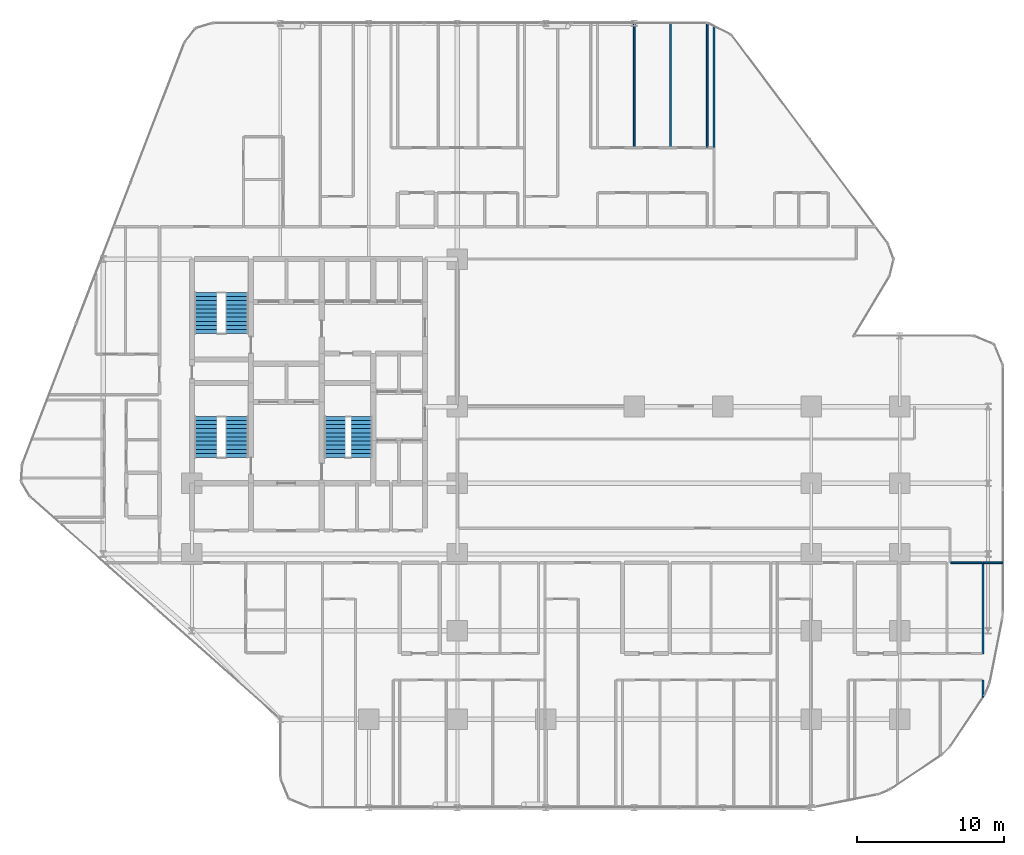
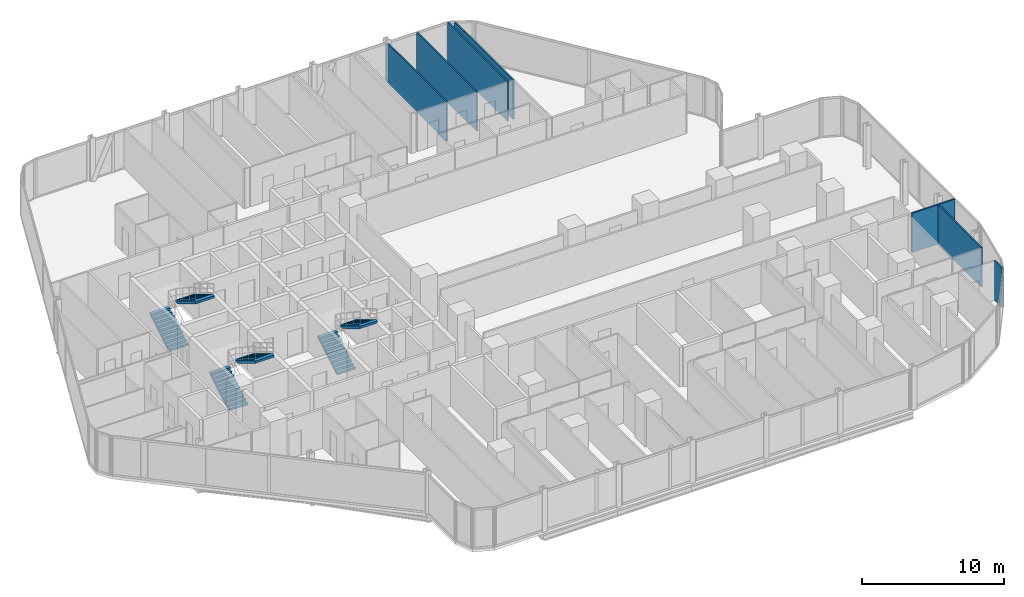
# One storey, part 32 of 33: 8 walls, 6 stair flights, 3 elements without a shape of their own.
"""IFC4 building model written with IfcOpenShell, lengths in metres."""

from ifc_helpers import new_model, si_unit, direction, frame, frame_2d, origin, place, context, subcontext, project, spatial, polyline, rectangle, outline, extrude, material, layer, layer_set, type_object, element, aggregate, save


model = new_model("IFC4")

# Units and contexts
model_context = context("Model", 3, precision=1e-05, world=origin(), true_north=direction((0.0, 1.0)))
body_context = subcontext(model_context, "Body", "Model", "MODEL_VIEW")
ifc_project = project(units=[si_unit("LENGTHUNIT", "METRE"), si_unit("AREAUNIT", "SQUARE_METRE"), si_unit("VOLUMEUNIT", "CUBIC_METRE"), si_unit("PLANEANGLEUNIT", "RADIAN"), si_unit("MASSUNIT", "GRAM", prefix="KILO")], contexts=[model_context])

# Site, building, storey
site_placement = place(None, origin())
site = spatial("IfcSite", under=ifc_project, at=site_placement, CompositionType="ELEMENT")
building_placement = place(site_placement, origin())
building = spatial("IfcBuilding", under=site, at=building_placement, Name="Keshet Zoharim Tower", CompositionType="ELEMENT")
storey_placement = place(building_placement, frame((0.0, 0.0, 35.10009765625)))
storey = spatial("IfcBuildingStorey", under=building, at=storey_placement, Name="L07", CompositionType="ELEMENT", Elevation=35.10009765625)

# Walls
ifc_material_1 = material(Name="Gypsum Plasterboard", Category="gypsum")
ifc_layer_1 = layer(ifc_material_1, 0.1201171875)
ifc_layer_set_1 = layer_set([ifc_layer_1], Name="Gypsum Plasterboard")
wall_type_1 = type_object("IfcWallType", Name="WL-PART-120", PredefinedType="PARTITIONING", material=ifc_layer_set_1)
for number, where, z_axis, x_axis, name in (
    (1, (45.0, 45.449951171875, 0.0), (0.0, 0.0, 1.0), (0.0, 1.0, 0.0), "L07 Interior Wall 096"),
    (2, (47.449951171875, 45.449951171875, 0.0), (0.0, 0.0, 1.0), (0.0, 1.0, 0.0), "L07 Interior Wall 100"),
    (3, (49.949951171875, 45.449951171875, 0.0), (0.0, 0.0, 1.0), (0.0, 1.0, 0.0), "L07 Interior Wall 103"),
):
    element("IfcWall", number, at=place(storey_placement, frame(where, z_axis=z_axis, x_axis=x_axis)), inside=storey, type_object=wall_type_1, Name=name, PredefinedType="PARTITIONING", context=body_context, shape_type="SweptSolid", body=[
        extrude(rectangle(XDim=8.43994140625, YDim=0.1201171875, at=frame_2d((4.219970703125, 0.0))), origin(), (0.0, 0.0, 1.0), 3.385009765625),
    ])
wall_1_placement = place(storey_placement, frame((50.39990234375, 45.449951171875, 0.0), z_axis=(0.0, 0.0, 1.0), x_axis=(0.0, 1.0, 0.0)))
element("IfcWall", 4, at=wall_1_placement, inside=storey, type_object=wall_type_1, Name="L07 Interior Wall 106", PredefinedType="PARTITIONING", context=body_context, shape_type="SweptSolid", body=[
    extrude(rectangle(XDim=8.239990234375, YDim=0.1201171875, at=frame_2d((4.1201171875, 0.0))), origin(), (0.0, 0.0, 1.0), 3.385009765625),
])
wall_2_placement = place(storey_placement, frame((68.64990234375, 8.196044921875, 0.0), z_axis=(0.0, 0.0, 1.0), x_axis=(0.0, 1.0, 0.0)))
element("IfcWall", 5, at=wall_2_placement, inside=storey, type_object=wall_type_1, Name="L07 Interior Wall 127", PredefinedType="PARTITIONING", context=body_context, shape_type="SweptSolid", body=[
    extrude(rectangle(XDim=1.154052734375, YDim=0.1201171875, at=frame_2d((0.5771484375, 0.0))), origin(), (0.0, 0.0, 1.0), 3.385009765625),
])
wall_3_placement = place(storey_placement, frame((68.676025390625, 17.300048828125, 0.0), z_axis=(0.0, 0.0, 1.0), x_axis=(1.0, 0.0, 0.0)))
element("IfcWall", 6, at=wall_3_placement, inside=storey, type_object=wall_type_1, Name="L07 Interior Wall 167", PredefinedType="PARTITIONING", context=body_context, shape_type="SweptSolid", body=[
    extrude(rectangle(XDim=1.31396484375, YDim=0.1201171875, at=frame_2d((0.656982421875, 0.0))), origin(), (0.0, 0.0, 1.0), 3.385009765625),
])
ifc_layer_2 = layer(ifc_material_1, 0.1201171875)
ifc_layer_set_2 = layer_set([ifc_layer_2], Name="Gypsum Plasterboard")
wall_type_2 = type_object("IfcWallType", Name="WL-WET-120", PredefinedType="PARTITIONING", material=ifc_layer_set_2)
wall_4_placement = place(storey_placement, frame((68.64990234375, 11.14990234375, 0.0), z_axis=(0.0, 0.0, 1.0), x_axis=(0.0, 1.0, 0.0)))
element("IfcWall", 7, at=wall_4_placement, inside=storey, type_object=wall_type_2, Name="L07 Interior Wall 128", PredefinedType="PARTITIONING", context=body_context, shape_type="SweptSolid", body=[
    extrude(rectangle(XDim=6.150146484375, YDim=0.1201171875, at=frame_2d((3.0751953125, 0.0))), origin(), (0.0, 0.0, 1.0), 3.385009765625),
])
wall_5_placement = place(storey_placement, frame((66.469970703125, 17.300048828125, 0.0), z_axis=(0.0, 0.0, 1.0), x_axis=(1.0, 0.0, 0.0)))
element("IfcWall", 8, at=wall_5_placement, inside=storey, type_object=wall_type_2, Name="L07 Interior Wall 166", PredefinedType="PARTITIONING", context=body_context, shape_type="SweptSolid", body=[
    extrude(rectangle(XDim=2.115966796875, YDim=0.1201171875, at=frame_2d((1.05810546875, 0.0))), origin(), (0.0, 0.0, 1.0), 3.385009765625),
])

# Stair, stair flights
ifc_material_2 = material(Name="Concrete C50/60", Category="concrete")
stair_type = type_object("IfcStairType", Name="STR-EXIT-135", PredefinedType="HALF_TURN_STAIR", material=ifc_material_2)
stair_1_placement = place(storey_placement, origin())
stair_1 = element("IfcStair", 9, at=stair_1_placement, inside=storey, type_object=stair_type, Name="L07 Enclosed Exit Stair ST-01", PredefinedType="HALF_TURN_STAIR")
stair_flight_type_1 = type_object("IfcStairFlightType", Name="FLT-PRE-135", PredefinedType="STRAIGHT", material=ifc_material_2)
stair_flight_1_placement = place(storey_placement, frame((15.945068359375, 24.43994140625, 0.0), z_axis=(0.0, 0.0, 1.0), x_axis=(0.0, 1.0, 0.0)))
stair_flight_1 = element("IfcStairFlight", 10, at=stair_flight_1_placement, type_object=stair_flight_type_1, Name="ST-01 flight 1", NumberOfRisers=11, NumberOfTreads=10, PredefinedType="STRAIGHT", RiserHeight=0.168182, TreadLength=0.28, context=body_context, shape_type="SweptSolid", body=[
    extrude(outline(polyline([(0.0, 0.0), (0.0, 0.168212890625), (0.280029296875, 0.168212890625), (0.280029296875, 0.33642578125), (0.56005859375, 0.33642578125), (0.56005859375, 0.504638671875), (0.840087890625, 0.504638671875), (0.840087890625, 0.672607421875), (1.1201171875, 0.672607421875), (1.1201171875, 0.8408203125), (1.39990234375, 0.8408203125), (1.39990234375, 1.009033203125), (1.679931640625, 1.009033203125), (1.679931640625, 1.17724609375), (1.9599609375, 1.17724609375), (1.9599609375, 1.345458984375), (2.239990234375, 1.345458984375), (2.239990234375, 1.513671875), (2.52001953125, 1.513671875), (2.52001953125, 1.681884765625), (2.800048828125, 1.681884765625), (2.800048828125, 1.85009765625), (2.800048828125, 1.495361328125), (0.310546875, 0.0), (0.0, 0.0)])), frame((0.0, 0.76513671875, 0.0), z_axis=(0.0, -1.0, 0.0), x_axis=(1.0, 0.0, 0.0)), (0.0, 0.0, 1.0), 1.530029296875),
])
stair_flight_2_placement = place(storey_placement, frame((18.054931640625, 27.239990234375, 1.849853515625), z_axis=(0.0, 0.0, 1.0), x_axis=(0.0, -1.0, 0.0)))
stair_flight_2 = element("IfcStairFlight", 11, at=stair_flight_2_placement, type_object=stair_flight_type_1, Name="ST-01 flight 2", NumberOfRisers=11, NumberOfTreads=10, PredefinedType="STRAIGHT", RiserHeight=0.168182, TreadLength=0.28, context=body_context, shape_type="SweptSolid", body=[
    extrude(outline(polyline([(0.0, 0.0), (0.0, 0.168212890625), (0.280029296875, 0.168212890625), (0.280029296875, 0.33642578125), (0.56005859375, 0.33642578125), (0.56005859375, 0.504638671875), (0.840087890625, 0.504638671875), (0.840087890625, 0.672607421875), (1.1201171875, 0.672607421875), (1.1201171875, 0.8408203125), (1.39990234375, 0.8408203125), (1.39990234375, 1.009033203125), (1.679931640625, 1.009033203125), (1.679931640625, 1.17724609375), (1.9599609375, 1.17724609375), (1.9599609375, 1.345458984375), (2.239990234375, 1.345458984375), (2.239990234375, 1.513671875), (2.52001953125, 1.513671875), (2.52001953125, 1.681884765625), (2.800048828125, 1.681884765625), (2.800048828125, 1.85009765625), (2.800048828125, 1.495361328125), (0.310546875, 0.0), (0.0, 0.0)])), frame((0.0, 0.76513671875, 0.0), z_axis=(0.0, -1.0, 0.0), x_axis=(1.0, 0.0, 0.0)), (0.0, 0.0, 1.0), 1.530029296875),
])
aggregate(stair_1, [stair_flight_1, stair_flight_2])

stair_2_placement = place(storey_placement, origin())
stair_2 = element("IfcStair", 12, at=stair_2_placement, inside=storey, type_object=stair_type, Name="L07 Enclosed Exit Stair ST-02", PredefinedType="HALF_TURN_STAIR")
stair_flight_3_placement = place(storey_placement, frame((15.945068359375, 32.840087890625, 0.0), z_axis=(0.0, 0.0, 1.0), x_axis=(0.0, 1.0, 0.0)))
stair_flight_3 = element("IfcStairFlight", 13, at=stair_flight_3_placement, type_object=stair_flight_type_1, Name="ST-02 flight 1", NumberOfRisers=11, NumberOfTreads=10, PredefinedType="STRAIGHT", RiserHeight=0.168182, TreadLength=0.28, context=body_context, shape_type="SweptSolid", body=[
    extrude(outline(polyline([(0.0, 0.0), (0.0, 0.168212890625), (0.280029296875, 0.168212890625), (0.280029296875, 0.33642578125), (0.56005859375, 0.33642578125), (0.56005859375, 0.504638671875), (0.840087890625, 0.504638671875), (0.840087890625, 0.672607421875), (1.1201171875, 0.672607421875), (1.1201171875, 0.8408203125), (1.39990234375, 0.8408203125), (1.39990234375, 1.009033203125), (1.679931640625, 1.009033203125), (1.679931640625, 1.17724609375), (1.9599609375, 1.17724609375), (1.9599609375, 1.345458984375), (2.239990234375, 1.345458984375), (2.239990234375, 1.513671875), (2.52001953125, 1.513671875), (2.52001953125, 1.681884765625), (2.800048828125, 1.681884765625), (2.800048828125, 1.85009765625), (2.800048828125, 1.495361328125), (0.310546875, 0.0), (0.0, 0.0)])), frame((0.0, 0.76513671875, 0.0), z_axis=(0.0, -1.0, 0.0), x_axis=(1.0, 0.0, 0.0)), (0.0, 0.0, 1.0), 1.530029296875),
])
stair_flight_4_placement = place(storey_placement, frame((18.054931640625, 35.639892578125, 1.849853515625), z_axis=(0.0, 0.0, 1.0), x_axis=(0.0, -1.0, 0.0)))
stair_flight_4 = element("IfcStairFlight", 14, at=stair_flight_4_placement, type_object=stair_flight_type_1, Name="ST-02 flight 2", NumberOfRisers=11, NumberOfTreads=10, PredefinedType="STRAIGHT", RiserHeight=0.168182, TreadLength=0.28, context=body_context, shape_type="SweptSolid", body=[
    extrude(outline(polyline([(0.0, 0.0), (0.0, 0.168212890625), (0.280029296875, 0.168212890625), (0.280029296875, 0.33642578125), (0.56005859375, 0.33642578125), (0.56005859375, 0.504638671875), (0.840087890625, 0.504638671875), (0.840087890625, 0.672607421875), (1.1201171875, 0.672607421875), (1.1201171875, 0.8408203125), (1.39990234375, 0.8408203125), (1.39990234375, 1.009033203125), (1.679931640625, 1.009033203125), (1.679931640625, 1.17724609375), (1.9599609375, 1.17724609375), (1.9599609375, 1.345458984375), (2.239990234375, 1.345458984375), (2.239990234375, 1.513671875), (2.52001953125, 1.513671875), (2.52001953125, 1.681884765625), (2.800048828125, 1.681884765625), (2.800048828125, 1.85009765625), (2.800048828125, 1.495361328125), (0.310546875, 0.0), (0.0, 0.0)])), frame((0.0, 0.76513671875, 0.0), z_axis=(0.0, -1.0, 0.0), x_axis=(1.0, 0.0, 0.0)), (0.0, 0.0, 1.0), 1.530029296875),
])
aggregate(stair_2, [stair_flight_3, stair_flight_4])

stair_3_placement = place(storey_placement, origin())
stair_3 = element("IfcStair", 15, at=stair_3_placement, inside=storey, type_object=stair_type, Name="L07 Enclosed Exit Stair ST-03", PredefinedType="HALF_TURN_STAIR")
stair_flight_type_2 = type_object("IfcStairFlightType", Name="FLT-PRE-144", PredefinedType="STRAIGHT", material=ifc_material_2)
stair_flight_5_placement = place(storey_placement, frame((24.699951171875, 24.43994140625, 0.0), z_axis=(0.0, 0.0, 1.0), x_axis=(0.0, 1.0, 0.0)))
stair_flight_5 = element("IfcStairFlight", 16, at=stair_flight_5_placement, type_object=stair_flight_type_2, Name="ST-03 flight 1", NumberOfRisers=11, NumberOfTreads=10, PredefinedType="STRAIGHT", RiserHeight=0.168182, TreadLength=0.28, context=body_context, shape_type="SweptSolid", body=[
    extrude(outline(polyline([(0.0, 0.0), (0.0, 0.168212890625), (0.280029296875, 0.168212890625), (0.280029296875, 0.33642578125), (0.56005859375, 0.33642578125), (0.56005859375, 0.504638671875), (0.840087890625, 0.504638671875), (0.840087890625, 0.672607421875), (1.1201171875, 0.672607421875), (1.1201171875, 0.8408203125), (1.39990234375, 0.8408203125), (1.39990234375, 1.009033203125), (1.679931640625, 1.009033203125), (1.679931640625, 1.17724609375), (1.9599609375, 1.17724609375), (1.9599609375, 1.345458984375), (2.239990234375, 1.345458984375), (2.239990234375, 1.513671875), (2.52001953125, 1.513671875), (2.52001953125, 1.681884765625), (2.800048828125, 1.681884765625), (2.800048828125, 1.85009765625), (2.800048828125, 1.495361328125), (0.310546875, 0.0), (0.0, 0.0)])), frame((0.0, 0.719970703125, 0.0), z_axis=(0.0, -1.0, 0.0), x_axis=(1.0, 0.0, 0.0)), (0.0, 0.0, 1.0), 1.43994140625),
])
stair_flight_6_placement = place(storey_placement, frame((26.5, 27.239990234375, 1.849853515625), z_axis=(0.0, 0.0, 1.0), x_axis=(0.0, -1.0, 0.0)))
stair_flight_6 = element("IfcStairFlight", 17, at=stair_flight_6_placement, type_object=stair_flight_type_2, Name="ST-03 flight 2", NumberOfRisers=11, NumberOfTreads=10, PredefinedType="STRAIGHT", RiserHeight=0.168182, TreadLength=0.28, context=body_context, shape_type="SweptSolid", body=[
    extrude(outline(polyline([(0.0, 0.0), (0.0, 0.168212890625), (0.280029296875, 0.168212890625), (0.280029296875, 0.33642578125), (0.56005859375, 0.33642578125), (0.56005859375, 0.504638671875), (0.840087890625, 0.504638671875), (0.840087890625, 0.672607421875), (1.1201171875, 0.672607421875), (1.1201171875, 0.8408203125), (1.39990234375, 0.8408203125), (1.39990234375, 1.009033203125), (1.679931640625, 1.009033203125), (1.679931640625, 1.17724609375), (1.9599609375, 1.17724609375), (1.9599609375, 1.345458984375), (2.239990234375, 1.345458984375), (2.239990234375, 1.513671875), (2.52001953125, 1.513671875), (2.52001953125, 1.681884765625), (2.800048828125, 1.681884765625), (2.800048828125, 1.85009765625), (2.800048828125, 1.495361328125), (0.310546875, 0.0), (0.0, 0.0)])), frame((0.0, 0.719970703125, 0.0), z_axis=(0.0, -1.0, 0.0), x_axis=(1.0, 0.0, 0.0)), (0.0, 0.0, 1.0), 1.43994140625),
])
aggregate(stair_3, [stair_flight_5, stair_flight_6])

save(model, "model.ifc")
